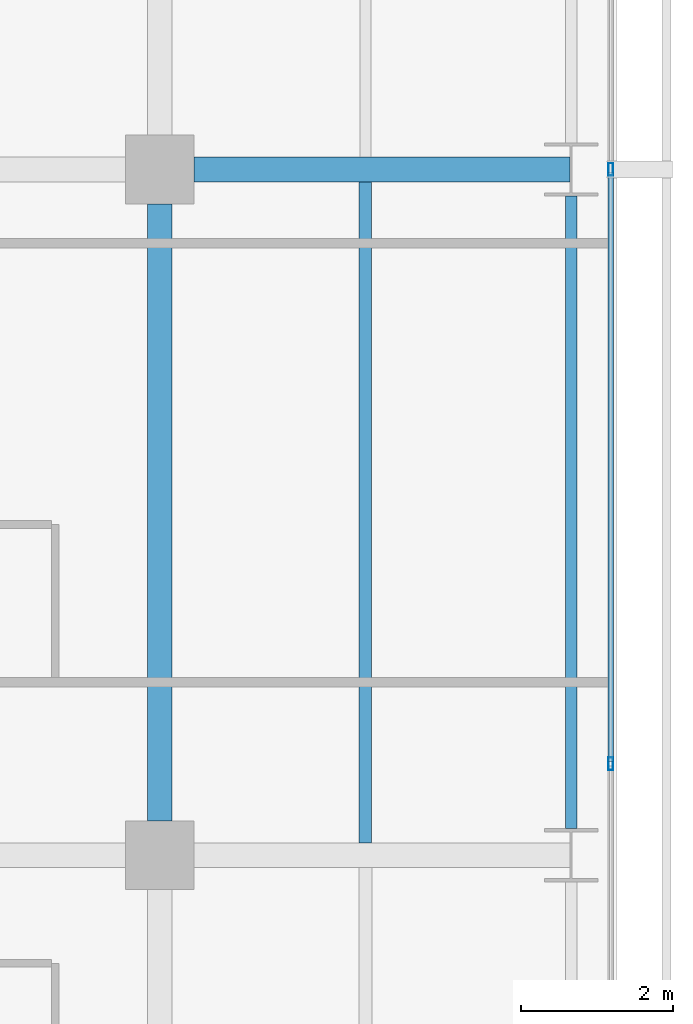
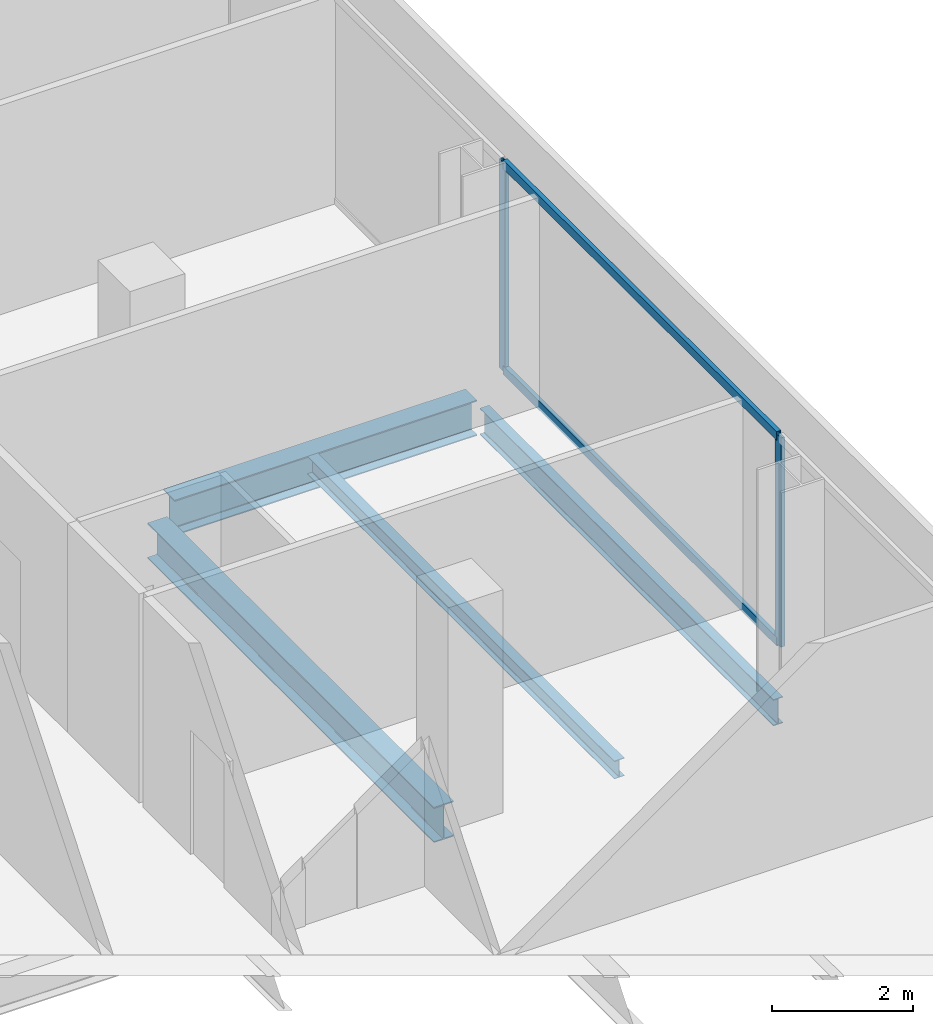
# One storey, part 19 of 40: 4 beams, 4 members, 1 element without a shape of its own.
"""IFC4 building model written with IfcOpenShell, lengths in metres."""

from ifc_helpers import new_model, si_unit, direction, frame, origin, origin_2d, place, context, subcontext, project, spatial, hollow_rectangle, i_section, extrude, material, layer, layer_set, material_profile, profile_set, type_object, element, aggregate, save


model = new_model("IFC4")

# Units and contexts
model_context = context("Model", 3, precision=1e-05, world=origin(), true_north=direction((0.0, 1.0)))
body_context = subcontext(model_context, "Body", "Model", "MODEL_VIEW")
ifc_project = project(units=[si_unit("LENGTHUNIT", "METRE"), si_unit("AREAUNIT", "SQUARE_METRE"), si_unit("VOLUMEUNIT", "CUBIC_METRE"), si_unit("PLANEANGLEUNIT", "RADIAN"), si_unit("MASSUNIT", "GRAM", prefix="KILO")], contexts=[model_context])

# Site, building, storey
site_placement = place(None, origin())
site = spatial("IfcSite", under=ifc_project, at=site_placement, CompositionType="ELEMENT")
building_placement = place(site_placement, origin())
building = spatial("IfcBuilding", under=site, at=building_placement, Name="Maruvema Waterfront Hotel and Observation Tower", CompositionType="ELEMENT")
storey_placement = place(building_placement, frame((0.0, 0.0, 96.25)))
storey = spatial("IfcBuildingStorey", under=building, at=storey_placement, Name="L23", CompositionType="ELEMENT", Elevation=96.25)

# Curtain wall, members
ifc_material_1 = material(Name="Anodised bronze aluminium and solar-control low-E IGU", Category="aluminium")
ifc_layer = layer(ifc_material_1, 0.159912109375, Name="Zone 1 Bronze Inner Thermal Curtain Wall System CW-02")
ifc_layer_set = layer_set([ifc_layer], Name="Anodised bronze aluminium and solar-control low-E IGU")
curtain_wall_type = type_object("IfcCurtainWallType", Name="Zone 1 Bronze Inner Thermal Curtain Wall System CW-02", PredefinedType="USERDEFINED", material=ifc_layer_set)
curtain_wall_placement = place(storey_placement, origin())
curtain_wall = element("IfcCurtainWall", 1, at=curtain_wall_placement, inside=storey, type_object=curtain_wall_type, Name="L23 Curtain Wall CW-L23-E", ObjectType="UNITISED CURTAIN WALL", PredefinedType="USERDEFINED")
ifc_material_2 = material(Name="Anodised architectural bronze aluminium", Category="aluminium")
ifc_material_profile_1 = material_profile(ifc_material_2, hollow_rectangle(XDim=0.070068359375, YDim=0.14990234375, WallThickness=0.00390625, at=origin_2d()), Name="ALU-T70x150")
ifc_profile_set_1 = profile_set([ifc_material_profile_1], Name="Anodised architectural bronze aluminium")
member_type_1 = type_object("IfcMemberType", Name="Curtain Wall Horizontal Transom ALU-T70x150", PredefinedType="USERDEFINED", material=ifc_profile_set_1)
member_1_placement = place(storey_placement, frame((64.719970703125, 19.22998046875, 0.030029296875), z_axis=(0.0, 1.0, 0.0), x_axis=(-1.0, 0.0, 0.0)))
member_1 = element("IfcMember", 2, at=member_1_placement, type_object=member_type_1, Name="CW-02 transom 3.1", ObjectType="TRANSOM", PredefinedType="USERDEFINED", context=body_context, shape_type="SweptSolid", body=[
    extrude(hollow_rectangle(XDim=0.070068359375, YDim=0.14990234375, WallThickness=0.00390625, at=origin_2d()), origin(), (0.0, 0.0, 1.0), 7.739990234375),
])
member_2_placement = place(storey_placement, frame((64.719970703125, 19.22998046875, 3.580078125), z_axis=(0.0, 1.0, 0.0), x_axis=(-1.0, 0.0, 0.0)))
member_2 = element("IfcMember", 3, at=member_2_placement, type_object=member_type_1, Name="CW-02 transom 3.2", ObjectType="TRANSOM", PredefinedType="USERDEFINED", context=body_context, shape_type="SweptSolid", body=[
    extrude(hollow_rectangle(XDim=0.070068359375, YDim=0.14990234375, WallThickness=0.00390625, at=origin_2d()), origin(), (0.0, 0.0, 1.0), 7.739990234375),
])
ifc_material_3 = material(Name="Anodised architectural bronze aluminium", Category="aluminium")
ifc_material_profile_2 = material_profile(ifc_material_3, hollow_rectangle(XDim=0.06494140625, YDim=0.1650390625, WallThickness=0.00390625, at=origin_2d()), Name="ALU-M65x165")
ifc_profile_set_2 = profile_set([ifc_material_profile_2], Name="Anodised architectural bronze aluminium")
member_type_2 = type_object("IfcMemberType", Name="Curtain Wall Primary Mullion ALU-M65x165", PredefinedType="MULLION", material=ifc_profile_set_2)
member_3_placement = place(storey_placement, frame((64.719970703125, 19.199951171875, 0.0), z_axis=(0.0, 0.0, 1.0), x_axis=(-1.0, 0.0, 0.0)))
member_3 = element("IfcMember", 4, at=member_3_placement, type_object=member_type_2, Name="CW-02 mullion 3", PredefinedType="MULLION", context=body_context, shape_type="SweptSolid", body=[
    extrude(hollow_rectangle(XDim=0.06494140625, YDim=0.1650390625, WallThickness=0.00390625, at=origin_2d()), origin(), (0.0, 0.0, 1.0), 3.610107421875),
])
member_4_placement = place(storey_placement, frame((64.719970703125, 27.0, 0.0), z_axis=(0.0, 0.0, 1.0), x_axis=(-1.0, 0.0, 0.0)))
member_4 = element("IfcMember", 5, at=member_4_placement, type_object=member_type_2, Name="CW-02 mullion 4", PredefinedType="MULLION", context=body_context, shape_type="SweptSolid", body=[
    extrude(hollow_rectangle(XDim=0.06494140625, YDim=0.1650390625, WallThickness=0.00390625, at=origin_2d()), origin(), (0.0, 0.0, 1.0), 3.610107421875),
])
aggregate(curtain_wall, [member_3, member_4, member_1, member_2])

# Beams
ifc_material_4 = material(Name="Steel ASTM A572 Grade 50", Category="steel")
ifc_material_profile_3 = material_profile(ifc_material_4, i_section(OverallWidth=0.153076171875, OverallDepth=0.455078125, WebThickness=0.008056640625, FlangeThickness=0.01318359375, FilletRadius=0.014892578125, at=origin_2d()), Name="W460x60.0")
ifc_profile_set_3 = profile_set([ifc_material_profile_3], Name="Steel ASTM A572 Grade 50")
beam_type_1 = type_object("IfcBeamType", Name="Perimeter Spandrel Beam W460x60.0", PredefinedType="SPANDREL", material=ifc_profile_set_3)
beam_1_placement = place(storey_placement, frame((64.199951171875, 18.35009765625, -0.467529296875), z_axis=(0.0, 1.0, 0.0), x_axis=(-1.0, 0.0, 0.0)))
element("IfcBeam", 6, at=beam_1_placement, inside=storey, type_object=beam_type_1, Name="L23 Floor Girder NS-34", PredefinedType="SPANDREL", context=body_context, shape_type="SweptSolid", body=[
    extrude(i_section(OverallWidth=0.153076171875, OverallDepth=0.455078125, WebThickness=0.008056640625, FlangeThickness=0.01318359375, FilletRadius=0.014892578125, at=origin_2d()), origin(), (0.0, 0.0, 1.0), 8.2998046875),
])
ifc_material_5 = material(Name="Steel ASTM A572 Grade 50", Category="steel")
ifc_material_profile_4 = material_profile(ifc_material_5, i_section(OverallWidth=0.323974609375, OverallDepth=0.611083984375, WebThickness=0.0126953125, FlangeThickness=0.01904296875, FilletRadius=0.01806640625, at=origin_2d()), Name="W610x155.0")
ifc_profile_set_4 = profile_set([ifc_material_profile_4], Name="Steel ASTM A572 Grade 50")
beam_type_2 = type_object("IfcBeamType", Name="Primary Floor Girder W610x155.0", PredefinedType="BEAM", material=ifc_profile_set_4)
beam_2_placement = place(storey_placement, frame((59.25, 27.0, -0.54541015625), z_axis=(1.0, 0.0, 0.0), x_axis=(0.0, 1.0, 0.0)))
element("IfcBeam", 7, at=beam_2_placement, inside=storey, type_object=beam_type_2, Name="L23 Floor Girder EW-24", PredefinedType="BEAM", context=body_context, shape_type="SweptSolid", body=[
    extrude(i_section(OverallWidth=0.323974609375, OverallDepth=0.611083984375, WebThickness=0.0126953125, FlangeThickness=0.01904296875, FilletRadius=0.01806640625, at=origin_2d()), origin(), (0.0, 0.0, 1.0), 4.93603515625),
])
beam_3_placement = place(storey_placement, frame((58.800048828125, 18.449951171875, -0.54541015625), z_axis=(0.0, 1.0, 0.0), x_axis=(-1.0, 0.0, 0.0)))
element("IfcBeam", 8, at=beam_3_placement, inside=storey, type_object=beam_type_2, Name="L23 Floor Girder NS-29", PredefinedType="BEAM", context=body_context, shape_type="SweptSolid", body=[
    extrude(i_section(OverallWidth=0.323974609375, OverallDepth=0.611083984375, WebThickness=0.0126953125, FlangeThickness=0.01904296875, FilletRadius=0.01806640625, at=origin_2d()), origin(), (0.0, 0.0, 1.0), 8.10009765625),
])
ifc_material_6 = material(Name="Steel ASTM A572 Grade 50", Category="steel")
ifc_material_profile_5 = material_profile(ifc_material_6, i_section(OverallWidth=0.1650390625, OverallDepth=0.31005859375, WebThickness=0.005859375, FlangeThickness=0.009765625, FilletRadius=0.012939453125, at=origin_2d()), Name="W310x38.7")
ifc_profile_set_5 = profile_set([ifc_material_profile_5], Name="Steel ASTM A572 Grade 50")
beam_type_3 = type_object("IfcBeamType", Name="Secondary Floor Joist W310x38.7", PredefinedType="JOIST", material=ifc_profile_set_5)
beam_4_placement = place(storey_placement, frame((61.5, 18.162109375, -0.39501953125), z_axis=(0.0, 1.0, 0.0), x_axis=(-1.0, 0.0, 0.0)))
element("IfcBeam", 9, at=beam_4_placement, inside=storey, type_object=beam_type_3, Name="L23 Secondary Floor Joist JS-22", PredefinedType="JOIST", context=body_context, shape_type="SweptSolid", body=[
    extrude(i_section(OverallWidth=0.1650390625, OverallDepth=0.31005859375, WebThickness=0.005859375, FlangeThickness=0.009765625, FilletRadius=0.012939453125, at=origin_2d()), origin(), (0.0, 0.0, 1.0), 8.67578125),
])

save(model, "model.ifc")
